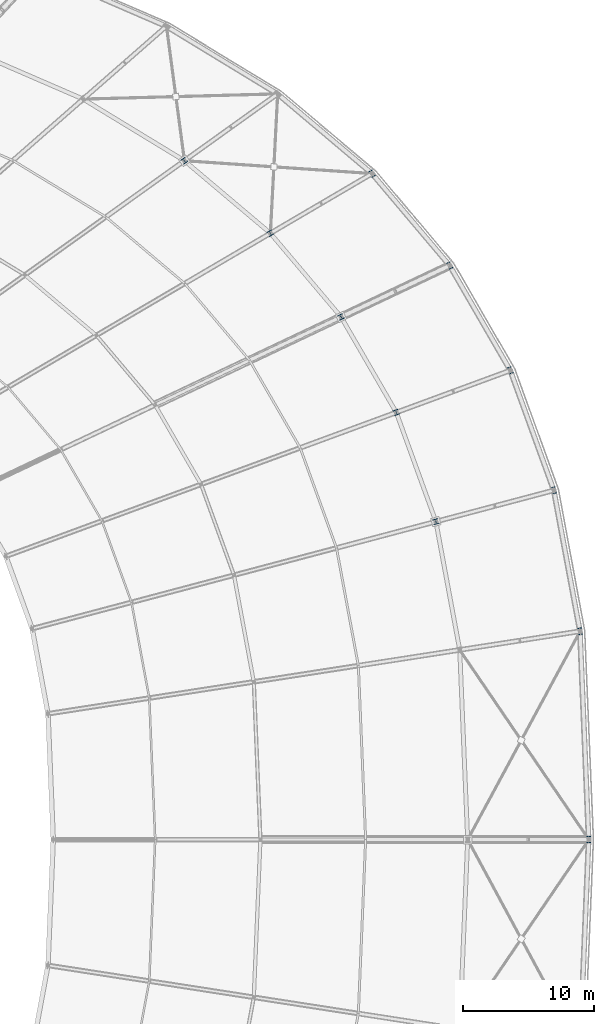
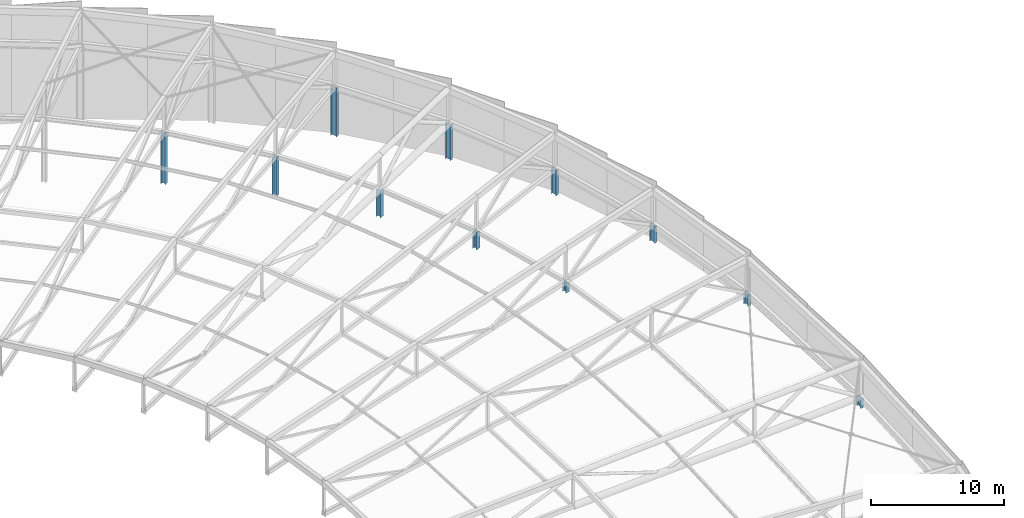
# One storey, part 9 of 143: 11 columns.
"""IFC4 building model written with IfcOpenShell, lengths in metres."""

from ifc_helpers import new_model, si_unit, direction, frame, origin, origin_2d, place, context, subcontext, project, spatial, i_section, extrude, material, material_profile, profile_set, type_object, element, save


model = new_model("IFC4")

# Units and contexts
model_context = context("Model", 3, precision=1e-05, world=origin(), true_north=direction((0.0, 1.0)))
body_context = subcontext(model_context, "Body", "Model", "MODEL_VIEW")
ifc_project = project(units=[si_unit("LENGTHUNIT", "METRE"), si_unit("AREAUNIT", "SQUARE_METRE"), si_unit("VOLUMEUNIT", "CUBIC_METRE"), si_unit("PLANEANGLEUNIT", "RADIAN"), si_unit("MASSUNIT", "GRAM", prefix="KILO")], contexts=[model_context])

# Site, building, storey
site_placement = place(None, origin())
site = spatial("IfcSite", under=ifc_project, at=site_placement, CompositionType="ELEMENT")
building_placement = place(site_placement, origin())
building = spatial("IfcBuilding", under=site, at=building_placement, Name="Mphavela Belvedere Stadium", CompositionType="ELEMENT")
storey_placement = place(building_placement, frame((0.0, 0.0, 28.800048828125)))
storey = spatial("IfcBuildingStorey", under=building, at=storey_placement, Name="RF", CompositionType="ELEMENT", Elevation=28.800048828125)

# Columns
ifc_material_1 = material(Name="Steel S355", Category="steel")
ifc_material_profile_1 = material_profile(ifc_material_1, i_section(OverallWidth=0.39501953125, OverallDepth=0.3798828125, WebThickness=0.0166015625, FlangeThickness=0.02587890625, at=origin_2d()), Name="HD 400x237")
ifc_profile_set_1 = profile_set([ifc_material_profile_1], Name="Steel S355")
column_type_1 = type_object("IfcColumnType", Name="COL-STEEL-HD400", PredefinedType="COLUMN", material=ifc_profile_set_1)
column_1_placement = place(storey_placement, frame((206.1875, 111.181884765625, 0.0), z_axis=(0.0, 0.0, 1.0), x_axis=(0.966600102017, 0.256289373133, 0.0)))
element("IfcColumn", 1, at=column_1_placement, inside=storey, type_object=column_type_1, Name="Roof truss inner support column RF R3-03", PredefinedType="COLUMN", context=body_context, shape_type="SweptSolid", body=[
    extrude(i_section(OverallWidth=0.39501953125, OverallDepth=0.3798828125, WebThickness=0.0166015625, FlangeThickness=0.02587890625, at=origin_2d()), origin(), (0.0, 0.0, 1.0), 0.916748046875),
])
column_2_placement = place(storey_placement, frame((203.175537109375, 119.484375, 0.0), z_axis=(0.0, 0.0, 1.0), x_axis=(0.938372433776, 0.34562577382, 0.0)))
element("IfcColumn", 2, at=column_2_placement, inside=storey, type_object=column_type_1, Name="Roof truss inner support column RF R3-04", PredefinedType="COLUMN", context=body_context, shape_type="SweptSolid", body=[
    extrude(i_section(OverallWidth=0.39501953125, OverallDepth=0.3798828125, WebThickness=0.0166015625, FlangeThickness=0.02587890625, at=origin_2d()), origin(), (0.0, 0.0, 1.0), 1.611328125),
])
column_3_placement = place(storey_placement, frame((198.9755859375, 126.748291015625, 0.0), z_axis=(0.0, 0.0, 1.0), x_axis=(0.903858661687, 0.4278311813, 0.0)))
element("IfcColumn", 3, at=column_3_placement, inside=storey, type_object=column_type_1, Name="Roof truss inner support column RF R3-05", PredefinedType="COLUMN", context=body_context, shape_type="SweptSolid", body=[
    extrude(i_section(OverallWidth=0.39501953125, OverallDepth=0.3798828125, WebThickness=0.0166015625, FlangeThickness=0.02587890625, at=origin_2d()), origin(), (0.0, 0.0, 1.0), 2.516357421875),
])
column_4_placement = place(storey_placement, frame((193.600341796875, 133.11376953125, 0.0), z_axis=(0.0, 0.0, 1.0), x_axis=(0.862513669207, 0.506033764121, 0.0)))
element("IfcColumn", 4, at=column_4_placement, inside=storey, type_object=column_type_1, Name="Roof truss inner support column RF R3-06", PredefinedType="COLUMN", context=body_context, shape_type="SweptSolid", body=[
    extrude(i_section(OverallWidth=0.39501953125, OverallDepth=0.3798828125, WebThickness=0.0166015625, FlangeThickness=0.02587890625, at=origin_2d()), origin(), (0.0, 0.0, 1.0), 3.5703125),
])
column_5_placement = place(storey_placement, frame((187.061279296875, 138.631591796875, 0.0), z_axis=(0.0, 0.0, 1.0), x_axis=(0.812897512265, 0.582406760395, 0.0)))
element("IfcColumn", 5, at=column_5_placement, inside=storey, type_object=column_type_1, Name="Roof truss inner support column RF R3-07", PredefinedType="COLUMN", context=body_context, shape_type="SweptSolid", body=[
    extrude(i_section(OverallWidth=0.39501953125, OverallDepth=0.3798828125, WebThickness=0.0166015625, FlangeThickness=0.02587890625, at=origin_2d()), origin(), (0.0, 0.0, 1.0), 4.701171875),
])
ifc_material_2 = material(Name="Steel S355", Category="steel")
ifc_material_profile_2 = material_profile(ifc_material_2, i_section(OverallWidth=0.300048828125, OverallDepth=0.5, WebThickness=0.014404296875, FlangeThickness=0.028076171875, at=origin_2d()), Name="HEB 500")
ifc_profile_set_2 = profile_set([ifc_material_profile_2], Name="Steel S355")
column_type_2 = type_object("IfcColumnType", Name="COL-STEEL-HEB500", PredefinedType="COLUMN", material=ifc_profile_set_2)
column_6_placement = place(storey_placement, frame((217.820068359375, 87.0, 0.0), z_axis=(0.0, 0.0, 1.0), x_axis=(1.0, 0.0, 0.0)))
element("IfcColumn", 6, at=column_6_placement, inside=storey, type_object=column_type_2, Name="Roof truss outer tie-down column RF R4-01", PredefinedType="COLUMN", context=body_context, shape_type="SweptSolid", body=[
    extrude(i_section(OverallWidth=0.300048828125, OverallDepth=0.5, WebThickness=0.014404296875, FlangeThickness=0.028076171875, at=origin_2d()), origin(), (0.0, 0.0, 1.0), 0.910888671875),
])
column_7_placement = place(storey_placement, frame((217.155517578125, 102.844970703125, 0.0), z_axis=(0.0, 0.0, 1.0), x_axis=(0.98817491911, 0.153330783737, 0.0)))
element("IfcColumn", 7, at=column_7_placement, inside=storey, type_object=column_type_2, Name="Roof truss outer tie-down column RF R4-02", PredefinedType="COLUMN", context=body_context, shape_type="SweptSolid", body=[
    extrude(i_section(OverallWidth=0.300048828125, OverallDepth=0.5, WebThickness=0.014404296875, FlangeThickness=0.028076171875, at=origin_2d()), origin(), (0.0, 0.0, 1.0), 1.074462890625),
])
column_8_placement = place(storey_placement, frame((215.16455078125, 113.5625, 0.0), z_axis=(0.0, 0.0, 1.0), x_axis=(0.966600102017, 0.256289373133, 0.0)))
element("IfcColumn", 8, at=column_8_placement, inside=storey, type_object=column_type_2, Name="Roof truss outer tie-down column RF R4-03", PredefinedType="COLUMN", context=body_context, shape_type="SweptSolid", body=[
    extrude(i_section(OverallWidth=0.300048828125, OverallDepth=0.5, WebThickness=0.014404296875, FlangeThickness=0.028076171875, at=origin_2d()), origin(), (0.0, 0.0, 1.0), 1.553955078125),
])
column_9_placement = place(storey_placement, frame((211.856201171875, 122.682373046875, 0.0), z_axis=(0.0, 0.0, 1.0), x_axis=(0.938372433776, 0.34562577382, 0.0)))
element("IfcColumn", 9, at=column_9_placement, inside=storey, type_object=column_type_2, Name="Roof truss outer tie-down column RF R4-04", PredefinedType="COLUMN", context=body_context, shape_type="SweptSolid", body=[
    extrude(i_section(OverallWidth=0.300048828125, OverallDepth=0.5, WebThickness=0.014404296875, FlangeThickness=0.028076171875, at=origin_2d()), origin(), (0.0, 0.0, 1.0), 2.31689453125),
])
column_10_placement = place(storey_placement, frame((207.242431640625, 130.66162109375, 0.0), z_axis=(0.0, 0.0, 1.0), x_axis=(0.903858661687, 0.4278311813, 0.0)))
element("IfcColumn", 10, at=column_10_placement, inside=storey, type_object=column_type_2, Name="Roof truss outer tie-down column RF R4-05", PredefinedType="COLUMN", context=body_context, shape_type="SweptSolid", body=[
    extrude(i_section(OverallWidth=0.300048828125, OverallDepth=0.5, WebThickness=0.014404296875, FlangeThickness=0.028076171875, at=origin_2d()), origin(), (0.0, 0.0, 1.0), 3.31103515625),
])
column_11_placement = place(storey_placement, frame((201.33837890625, 137.653564453125, 0.0), z_axis=(0.0, 0.0, 1.0), x_axis=(0.862513669207, 0.506033764121, 0.0)))
element("IfcColumn", 11, at=column_11_placement, inside=storey, type_object=column_type_2, Name="Roof truss outer tie-down column RF R4-06", PredefinedType="COLUMN", context=body_context, shape_type="SweptSolid", body=[
    extrude(i_section(OverallWidth=0.300048828125, OverallDepth=0.5, WebThickness=0.014404296875, FlangeThickness=0.028076171875, at=origin_2d()), origin(), (0.0, 0.0, 1.0), 4.46875),
])

save(model, "model.ifc")
